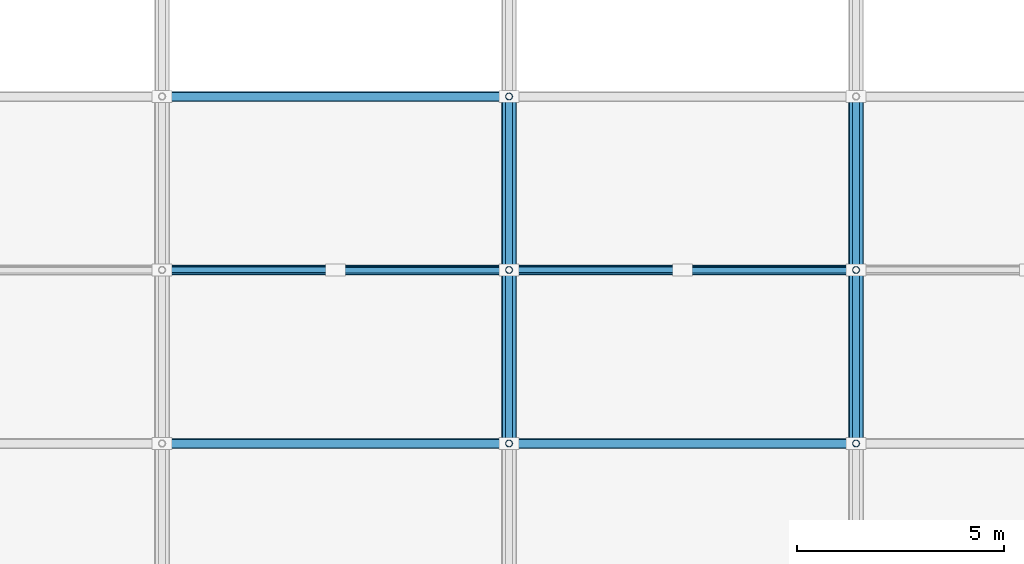
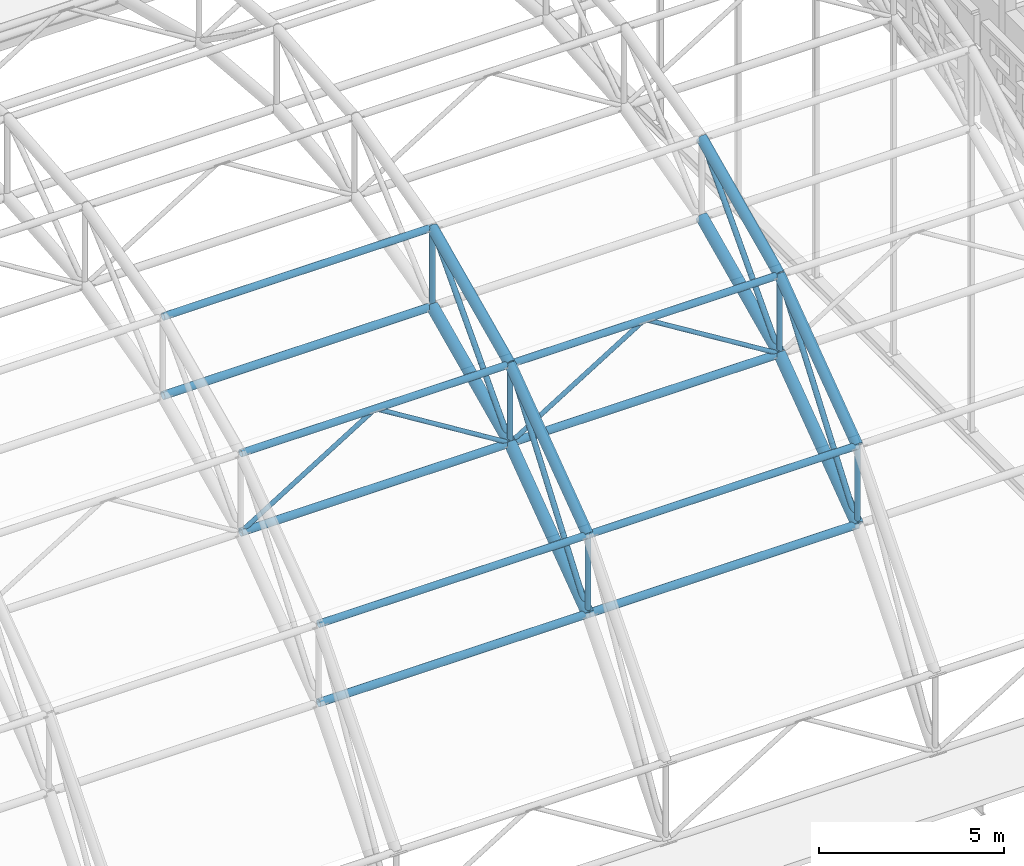
# One storey, part 33 of 103: 23 members, 8 beams.
"""IFC4 building model written with IfcOpenShell, lengths in metres."""

from ifc_helpers import new_model, si_unit, direction, frame, origin, origin_2d, place, context, subcontext, project, spatial, hollow_circle, extrude, material, material_profile, profile_set, type_object, element, save


model = new_model("IFC4")

# Units and contexts
model_context = context("Model", 3, precision=1e-05, world=origin(), true_north=direction((0.0, 1.0)))
body_context = subcontext(model_context, "Body", "Model", "MODEL_VIEW")
ifc_project = project(units=[si_unit("LENGTHUNIT", "METRE"), si_unit("AREAUNIT", "SQUARE_METRE"), si_unit("VOLUMEUNIT", "CUBIC_METRE"), si_unit("PLANEANGLEUNIT", "RADIAN"), si_unit("MASSUNIT", "GRAM", prefix="KILO")], contexts=[model_context])

# Site, building, storey
site_placement = place(None, origin())
site = spatial("IfcSite", under=ifc_project, at=site_placement, CompositionType="ELEMENT")
building_placement = place(site_placement, origin())
building = spatial("IfcBuilding", under=site, at=building_placement, Name="Varnapada Polytechnic", CompositionType="ELEMENT")
storey_placement = place(building_placement, frame((0.0, 0.0, 18.0)))
storey = spatial("IfcBuildingStorey", under=building, at=storey_placement, Name="L04", CompositionType="ELEMENT", Elevation=18.0)

# Members
ifc_material = material(Name="Steel S355", Category="steel")
ifc_material_profile_1 = material_profile(ifc_material, hollow_circle(Radius=0.122314453125, WallThickness=0.008056640625, at=origin_2d()), Name="CHS 244.5x8.0")
ifc_profile_set_1 = profile_set([ifc_material_profile_1], Name="Steel S355")
member_type_1 = type_object("IfcMemberType", Name="Vaulted space frame longitudinal bottom chord SFC-01 (CHS 244.5x8.0)", PredefinedType="CHORD", material=ifc_profile_set_1)
for number, where, z_axis, x_axis, name in (
    (1, (109.199951171875, 88.199951171875, 4.94921875), (1.0, 0.0, 0.0), (0.0, 1.0, 0.0), "Vaulted space frame longitudinal bottom chord 8.2"),
    (2, (109.199951171875, 92.39990234375, 8.02783203125), (1.0, 0.0, 0.0), (0.0, 1.0, 0.0), "Vaulted space frame longitudinal bottom chord 8.3"),
    (3, (109.199951171875, 96.60009765625, 9.98193359375), (1.0, 0.0, 0.0), (0.0, 1.0, 0.0), "Vaulted space frame longitudinal bottom chord 8.4"),
):
    element("IfcMember", number, at=place(storey_placement, frame(where, z_axis=z_axis, x_axis=x_axis)), inside=storey, type_object=member_type_1, Name=name, PredefinedType="CHORD", context=body_context, shape_type="SweptSolid", body=[
        extrude(hollow_circle(Radius=0.122314453125, WallThickness=0.008056640625, at=origin_2d()), origin(), (0.0, 0.0, 1.0), 8.400146484375),
    ])
for number, where, z_axis, x_axis, name in (
    (4, (117.60009765625, 88.199951171875, 4.94921875), (1.0, 0.0, 0.0), (0.0, 1.0, 0.0), "Vaulted space frame longitudinal bottom chord 9.2"),
    (5, (117.60009765625, 92.39990234375, 8.02783203125), (1.0, 0.0, 0.0), (0.0, 1.0, 0.0), "Vaulted space frame longitudinal bottom chord 9.3"),
):
    element("IfcMember", number, at=place(storey_placement, frame(where, z_axis=z_axis, x_axis=x_axis)), inside=storey, type_object=member_type_1, Name=name, PredefinedType="CHORD", context=body_context, shape_type="SweptSolid", body=[
        extrude(hollow_circle(Radius=0.122314453125, WallThickness=0.008056640625, at=origin_2d()), origin(), (0.0, 0.0, 1.0), 8.39990234375),
    ])
ifc_material_profile_2 = material_profile(ifc_material, hollow_circle(Radius=0.109619140625, WallThickness=0.008056640625, at=origin_2d()), Name="CHS 219.1x8.0")
ifc_profile_set_2 = profile_set([ifc_material_profile_2], Name="Steel S355")
member_type_2 = type_object("IfcMemberType", Name="Vaulted space frame longitudinal top chord SFC-02 (CHS 219.1x8.0)", PredefinedType="CHORD", material=ifc_profile_set_2)
for number, where, z_axis, x_axis, name in (
    (6, (109.199951171875, 88.199951171875, 7.549072265625), (1.0, 0.0, 0.0), (0.0, 1.0, 0.0), "Vaulted space frame longitudinal top chord 8.2"),
    (7, (109.199951171875, 92.39990234375, 10.6279296875), (1.0, 0.0, 0.0), (0.0, 1.0, 0.0), "Vaulted space frame longitudinal top chord 8.3"),
    (8, (109.199951171875, 96.60009765625, 12.581787109375), (1.0, 0.0, 0.0), (0.0, 1.0, 0.0), "Vaulted space frame longitudinal top chord 8.4"),
):
    element("IfcMember", number, at=place(storey_placement, frame(where, z_axis=z_axis, x_axis=x_axis)), inside=storey, type_object=member_type_2, Name=name, PredefinedType="CHORD", context=body_context, shape_type="SweptSolid", body=[
        extrude(hollow_circle(Radius=0.109619140625, WallThickness=0.008056640625, at=origin_2d()), origin(), (0.0, 0.0, 1.0), 8.400146484375),
    ])
for number, where, z_axis, x_axis, name in (
    (9, (117.60009765625, 88.199951171875, 7.549072265625), (1.0, 0.0, 0.0), (0.0, 1.0, 0.0), "Vaulted space frame longitudinal top chord 9.2"),
    (10, (117.60009765625, 92.39990234375, 10.6279296875), (1.0, 0.0, 0.0), (0.0, 1.0, 0.0), "Vaulted space frame longitudinal top chord 9.3"),
):
    element("IfcMember", number, at=place(storey_placement, frame(where, z_axis=z_axis, x_axis=x_axis)), inside=storey, type_object=member_type_2, Name=name, PredefinedType="CHORD", context=body_context, shape_type="SweptSolid", body=[
        extrude(hollow_circle(Radius=0.109619140625, WallThickness=0.008056640625, at=origin_2d()), origin(), (0.0, 0.0, 1.0), 8.39990234375),
    ])

# Beams
ifc_material_profile_3 = material_profile(ifc_material, hollow_circle(Radius=0.177734375, WallThickness=0.012451171875, at=origin_2d()), Name="CHS 355.6x12.5")
ifc_profile_set_3 = profile_set([ifc_material_profile_3], Name="Steel S355")
beam_type_1 = type_object("IfcBeamType", Name="Vaulted space frame primary arch rib VA-01 (CHS 355.6x12.5)", PredefinedType="BEAM", material=ifc_profile_set_3)
beam_1_placement = place(storey_placement, frame((117.60009765625, 88.199951171875, 4.94921875), z_axis=(0.0, 0.806528689778, 0.591194953095), x_axis=(-1.0, 0.0, 0.0)))
element("IfcBeam", 11, at=beam_1_placement, inside=storey, type_object=beam_type_1, Name="Vaulted space frame bottom arch chord 9.2", PredefinedType="BEAM", context=body_context, shape_type="SweptSolid", body=[
    extrude(hollow_circle(Radius=0.177734375, WallThickness=0.012451171875, at=origin_2d()), origin(), (0.0, 0.0, 1.0), 5.20751953125),
])
beam_2_placement = place(storey_placement, frame((117.60009765625, 92.39990234375, 8.02783203125), z_axis=(0.0, 0.906677989805, 0.421823449802), x_axis=(-1.0, 0.0, 0.0)))
element("IfcBeam", 12, at=beam_2_placement, inside=storey, type_object=beam_type_1, Name="Vaulted space frame bottom arch chord 9.3", PredefinedType="BEAM", context=body_context, shape_type="SweptSolid", body=[
    extrude(hollow_circle(Radius=0.177734375, WallThickness=0.012451171875, at=origin_2d()), origin(), (0.0, 0.0, 1.0), 4.632568359375),
])
beam_3_placement = place(storey_placement, frame((126.0, 88.199951171875, 4.94921875), z_axis=(0.0, 0.806528689778, 0.591194953095), x_axis=(-1.0, 0.0, 0.0)))
element("IfcBeam", 13, at=beam_3_placement, inside=storey, type_object=beam_type_1, Name="Vaulted space frame bottom arch chord 10.2", PredefinedType="BEAM", context=body_context, shape_type="SweptSolid", body=[
    extrude(hollow_circle(Radius=0.177734375, WallThickness=0.012451171875, at=origin_2d()), origin(), (0.0, 0.0, 1.0), 5.20751953125),
])
beam_4_placement = place(storey_placement, frame((126.0, 92.39990234375, 8.02783203125), z_axis=(0.0, 0.906677989805, 0.421823449802), x_axis=(-1.0, 0.0, 0.0)))
element("IfcBeam", 14, at=beam_4_placement, inside=storey, type_object=beam_type_1, Name="Vaulted space frame bottom arch chord 10.3", PredefinedType="BEAM", context=body_context, shape_type="SweptSolid", body=[
    extrude(hollow_circle(Radius=0.177734375, WallThickness=0.012451171875, at=origin_2d()), origin(), (0.0, 0.0, 1.0), 4.632568359375),
])

# Members
ifc_material_profile_4 = material_profile(ifc_material, hollow_circle(Radius=0.084228515625, WallThickness=0.00634765625, at=origin_2d()), Name="CHS 168.3x6.3")
ifc_profile_set_4 = profile_set([ifc_material_profile_4], Name="Steel S355")
member_type_3 = type_object("IfcMemberType", Name="Vaulted space frame primary web diagonal SFB-01 (CHS 168.3x6.3)", PredefinedType="BRACE", material=ifc_profile_set_4)
member_1_placement = place(storey_placement, frame((117.60009765625, 88.199951171875, 4.94921875), z_axis=(0.0, 0.594633036041, 0.803997234105), x_axis=(-1.0, 0.0, 0.0)))
element("IfcMember", 15, at=member_1_placement, inside=storey, type_object=member_type_3, Name="Vaulted space frame web diagonal 9.2", PredefinedType="BRACE", context=body_context, shape_type="SweptSolid", body=[
    extrude(hollow_circle(Radius=0.084228515625, WallThickness=0.00634765625, at=origin_2d()), origin(), (0.0, 0.0, 1.0), 7.06298828125),
])
member_2_placement = place(storey_placement, frame((117.60009765625, 92.39990234375, 8.02783203125), z_axis=(0.0, 0.677978881407, 0.735081380777), x_axis=(-1.0, 0.0, 0.0)))
element("IfcMember", 16, at=member_2_placement, inside=storey, type_object=member_type_3, Name="Vaulted space frame web diagonal 9.3", PredefinedType="BRACE", context=body_context, shape_type="SweptSolid", body=[
    extrude(hollow_circle(Radius=0.084228515625, WallThickness=0.00634765625, at=origin_2d()), origin(), (0.0, 0.0, 1.0), 6.195068359375),
])
member_3_placement = place(storey_placement, frame((126.0, 88.199951171875, 4.94921875), z_axis=(0.0, 0.594633036041, 0.803997234105), x_axis=(-1.0, 0.0, 0.0)))
element("IfcMember", 17, at=member_3_placement, inside=storey, type_object=member_type_3, Name="Vaulted space frame web diagonal 10.2", PredefinedType="BRACE", context=body_context, shape_type="SweptSolid", body=[
    extrude(hollow_circle(Radius=0.084228515625, WallThickness=0.00634765625, at=origin_2d()), origin(), (0.0, 0.0, 1.0), 7.06298828125),
])
member_4_placement = place(storey_placement, frame((126.0, 92.39990234375, 8.02783203125), z_axis=(0.0, 0.677978881407, 0.735081380777), x_axis=(-1.0, 0.0, 0.0)))
element("IfcMember", 18, at=member_4_placement, inside=storey, type_object=member_type_3, Name="Vaulted space frame web diagonal 10.3", PredefinedType="BRACE", context=body_context, shape_type="SweptSolid", body=[
    extrude(hollow_circle(Radius=0.084228515625, WallThickness=0.00634765625, at=origin_2d()), origin(), (0.0, 0.0, 1.0), 6.195068359375),
])
ifc_material_profile_5 = material_profile(ifc_material, hollow_circle(Radius=0.084228515625, WallThickness=0.00634765625, at=origin_2d()), Name="CHS 168.3x6.3")
ifc_profile_set_5 = profile_set([ifc_material_profile_5], Name="Steel S355")
member_type_4 = type_object("IfcMemberType", Name="Vaulted space frame radial web strut SFS-01 (CHS 168.3x6.3)", PredefinedType="STRUT", material=ifc_profile_set_5)
member_5_placement = place(storey_placement, frame((117.60009765625, 88.199951171875, 4.94921875), z_axis=(0.0, 0.0, 1.0), x_axis=(1.0, 0.0, 0.0)))
element("IfcMember", 19, at=member_5_placement, inside=storey, type_object=member_type_4, Name="Vaulted space frame strut 9.2", PredefinedType="STRUT", context=body_context, shape_type="SweptSolid", body=[
    extrude(hollow_circle(Radius=0.084228515625, WallThickness=0.00634765625, at=origin_2d()), origin(), (0.0, 0.0, 1.0), 2.599853515625),
])
member_6_placement = place(storey_placement, frame((117.60009765625, 92.39990234375, 8.02783203125), z_axis=(0.0, 0.0, 1.0), x_axis=(1.0, 0.0, 0.0)))
element("IfcMember", 20, at=member_6_placement, inside=storey, type_object=member_type_4, Name="Vaulted space frame strut 9.3", PredefinedType="STRUT", context=body_context, shape_type="SweptSolid", body=[
    extrude(hollow_circle(Radius=0.084228515625, WallThickness=0.00634765625, at=origin_2d()), origin(), (0.0, 0.0, 1.0), 2.60009765625),
])
for number, where, z_axis, x_axis, name in (
    (21, (117.60009765625, 96.60009765625, 9.98193359375), (0.0, 0.0, 1.0), (1.0, 0.0, 0.0), "Vaulted space frame strut 9.4"),
    (22, (126.0, 88.199951171875, 4.94921875), (0.0, 0.0, 1.0), (1.0, 0.0, 0.0), "Vaulted space frame strut 10.2"),
):
    element("IfcMember", number, at=place(storey_placement, frame(where, z_axis=z_axis, x_axis=x_axis)), inside=storey, type_object=member_type_4, Name=name, PredefinedType="STRUT", context=body_context, shape_type="SweptSolid", body=[
        extrude(hollow_circle(Radius=0.084228515625, WallThickness=0.00634765625, at=origin_2d()), origin(), (0.0, 0.0, 1.0), 2.599853515625),
    ])
member_7_placement = place(storey_placement, frame((126.0, 92.39990234375, 8.02783203125), z_axis=(0.0, 0.0, 1.0), x_axis=(1.0, 0.0, 0.0)))
element("IfcMember", 23, at=member_7_placement, inside=storey, type_object=member_type_4, Name="Vaulted space frame strut 10.3", PredefinedType="STRUT", context=body_context, shape_type="SweptSolid", body=[
    extrude(hollow_circle(Radius=0.084228515625, WallThickness=0.00634765625, at=origin_2d()), origin(), (0.0, 0.0, 1.0), 2.60009765625),
])
ifc_material_profile_6 = material_profile(ifc_material, hollow_circle(Radius=0.06982421875, WallThickness=0.0048828125, at=origin_2d()), Name="CHS 139.7x5.0")
ifc_profile_set_6 = profile_set([ifc_material_profile_6], Name="Steel S355")
member_type_5 = type_object("IfcMemberType", Name="Vaulted space frame secondary web diagonal SFB-02 (CHS 139.7x5.0)", PredefinedType="BRACE", material=ifc_profile_set_6)
member_8_placement = place(storey_placement, frame((109.199951171875, 92.39990234375, 8.02783203125), z_axis=(0.85025356003, 0.0, 0.526373331065), x_axis=(0.0, 1.0, 0.0)))
element("IfcMember", 24, at=member_8_placement, inside=storey, type_object=member_type_5, Name="Vaulted space frame longitudinal brace 8.3A", PredefinedType="BRACE", context=body_context, shape_type="SweptSolid", body=[
    extrude(hollow_circle(Radius=0.06982421875, WallThickness=0.0048828125, at=origin_2d()), origin(), (0.0, 0.0, 1.0), 4.939697265625),
])
member_9_placement = place(storey_placement, frame((117.60009765625, 92.39990234375, 8.02783203125), z_axis=(-0.85026725322, 0.0, 0.526351211741), x_axis=(0.0, -1.0, 0.0)))
element("IfcMember", 25, at=member_9_placement, inside=storey, type_object=member_type_5, Name="Vaulted space frame longitudinal brace 8.3B", PredefinedType="BRACE", context=body_context, shape_type="SweptSolid", body=[
    extrude(hollow_circle(Radius=0.06982421875, WallThickness=0.0048828125, at=origin_2d()), origin(), (0.0, 0.0, 1.0), 4.93994140625),
])
for number, where, z_axis, x_axis, name in (
    (26, (117.60009765625, 92.39990234375, 8.02783203125), (0.85025356003, 0.0, 0.526373331065), (0.0, 1.0, 0.0), "Vaulted space frame longitudinal brace 9.3A"),
    (27, (126.0, 92.39990234375, 8.02783203125), (-0.85025356003, 0.0, 0.526373331065), (0.0, -1.0, 0.0), "Vaulted space frame longitudinal brace 9.3B"),
):
    element("IfcMember", number, at=place(storey_placement, frame(where, z_axis=z_axis, x_axis=x_axis)), inside=storey, type_object=member_type_5, Name=name, PredefinedType="BRACE", context=body_context, shape_type="SweptSolid", body=[
        extrude(hollow_circle(Radius=0.06982421875, WallThickness=0.0048828125, at=origin_2d()), origin(), (0.0, 0.0, 1.0), 4.939697265625),
    ])

# Beams
ifc_material_profile_7 = material_profile(ifc_material, hollow_circle(Radius=0.161865234375, WallThickness=0.010009765625, at=origin_2d()), Name="CHS 323.9x10.0")
ifc_profile_set_7 = profile_set([ifc_material_profile_7], Name="Steel S355")
beam_type_2 = type_object("IfcBeamType", Name="Vaulted space frame upper arch rib VA-02 (CHS 323.9x10.0)", PredefinedType="BEAM", material=ifc_profile_set_7)
beam_5_placement = place(storey_placement, frame((117.60009765625, 88.199951171875, 7.549072265625), z_axis=(0.0, 0.806506335259, 0.591225448698), x_axis=(-1.0, 0.0, 0.0)))
element("IfcBeam", 28, at=beam_5_placement, inside=storey, type_object=beam_type_2, Name="Vaulted space frame top arch chord 9.2", PredefinedType="BEAM", context=body_context, shape_type="SweptSolid", body=[
    extrude(hollow_circle(Radius=0.161865234375, WallThickness=0.010009765625, at=origin_2d()), origin(), (0.0, 0.0, 1.0), 5.20751953125),
])
beam_6_placement = place(storey_placement, frame((117.60009765625, 92.39990234375, 10.6279296875), z_axis=(0.0, 0.906698145361, 0.421780124234), x_axis=(-1.0, 0.0, 0.0)))
element("IfcBeam", 29, at=beam_6_placement, inside=storey, type_object=beam_type_2, Name="Vaulted space frame top arch chord 9.3", PredefinedType="BEAM", context=body_context, shape_type="SweptSolid", body=[
    extrude(hollow_circle(Radius=0.161865234375, WallThickness=0.010009765625, at=origin_2d()), origin(), (0.0, 0.0, 1.0), 4.63232421875),
])
beam_7_placement = place(storey_placement, frame((126.0, 88.199951171875, 7.549072265625), z_axis=(0.0, 0.806506335259, 0.591225448698), x_axis=(-1.0, 0.0, 0.0)))
element("IfcBeam", 30, at=beam_7_placement, inside=storey, type_object=beam_type_2, Name="Vaulted space frame top arch chord 10.2", PredefinedType="BEAM", context=body_context, shape_type="SweptSolid", body=[
    extrude(hollow_circle(Radius=0.161865234375, WallThickness=0.010009765625, at=origin_2d()), origin(), (0.0, 0.0, 1.0), 5.20751953125),
])
beam_8_placement = place(storey_placement, frame((126.0, 92.39990234375, 10.6279296875), z_axis=(0.0, 0.906698145361, 0.421780124234), x_axis=(-1.0, 0.0, 0.0)))
element("IfcBeam", 31, at=beam_8_placement, inside=storey, type_object=beam_type_2, Name="Vaulted space frame top arch chord 10.3", PredefinedType="BEAM", context=body_context, shape_type="SweptSolid", body=[
    extrude(hollow_circle(Radius=0.161865234375, WallThickness=0.010009765625, at=origin_2d()), origin(), (0.0, 0.0, 1.0), 4.63232421875),
])

save(model, "model.ifc")
